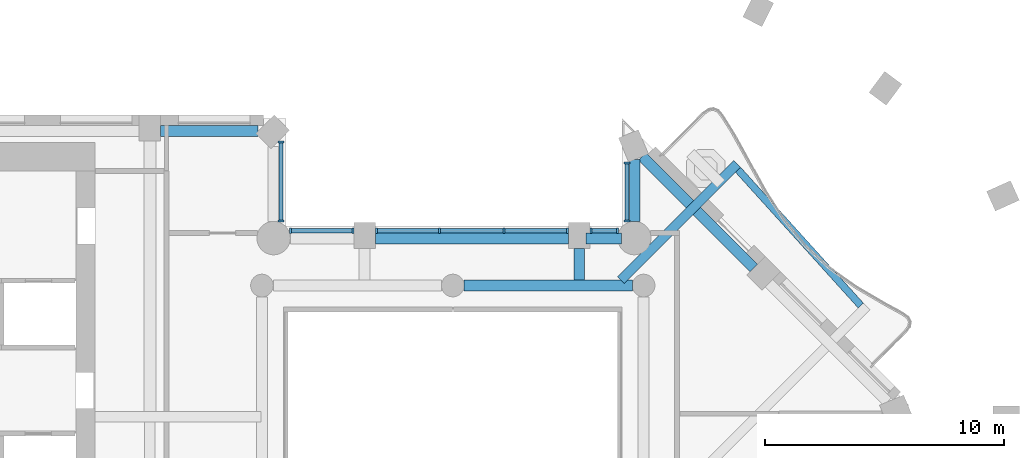
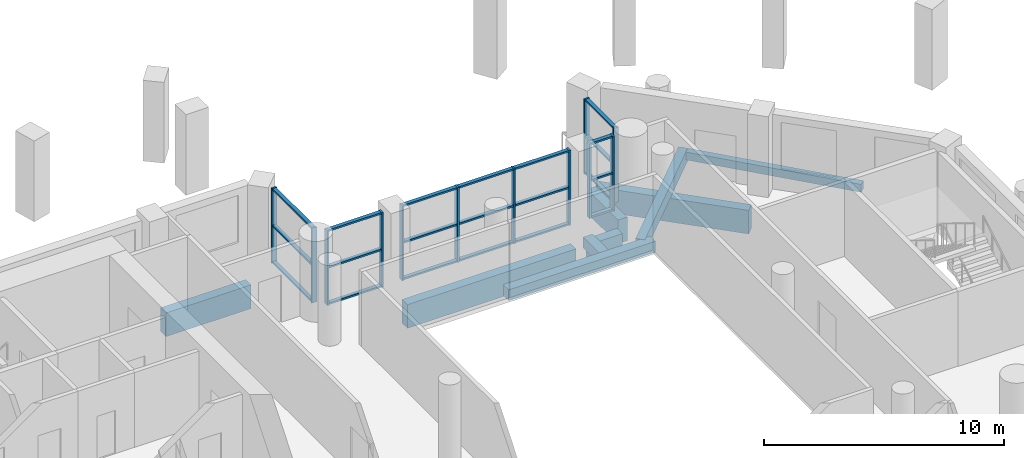
# One storey, part 2 of 14: 33 members, 9 beams, 5 elements without a shape of their own.
"""IFC4 building model written with IfcOpenShell, lengths in metres."""

from ifc_helpers import new_model, si_unit, direction, frame, origin, origin_2d, place, context, subcontext, project, spatial, rectangle, extrude, material, material_profile, profile_set, type_object, element, aggregate, save


model = new_model("IFC4")

# Units and contexts
model_context = context("Model", 3, precision=1e-05, world=origin(), true_north=direction((0.0, 1.0)))
body_context = subcontext(model_context, "Body", "Model", "MODEL_VIEW")
ifc_project = project(units=[si_unit("LENGTHUNIT", "METRE"), si_unit("AREAUNIT", "SQUARE_METRE"), si_unit("VOLUMEUNIT", "CUBIC_METRE"), si_unit("PLANEANGLEUNIT", "RADIAN"), si_unit("MASSUNIT", "GRAM", prefix="KILO")], contexts=[model_context])

# Site, building, storey
site_placement = place(None, origin())
site = spatial("IfcSite", under=ifc_project, at=site_placement, CompositionType="ELEMENT")
building_placement = place(site_placement, origin())
building = spatial("IfcBuilding", under=site, at=building_placement, Name="Cypress Arch Tower", CompositionType="ELEMENT")
storey_placement = place(building_placement, frame((0.0, 0.0, 226.10009765625)))
storey = spatial("IfcBuildingStorey", under=building, at=storey_placement, Name="L50", CompositionType="ELEMENT", Elevation=226.10009765625)

# Beams
ifc_material_1 = material(Name="Concrete C50/60", Category="concrete")
ifc_material_profile_1 = material_profile(ifc_material_1, rectangle(XDim=0.300048828125, YDim=0.39990234375, at=origin_2d()), Name="RC 300x400")
ifc_profile_set_1 = profile_set([ifc_material_profile_1], Name="Concrete C50/60")
beam_type_1 = type_object("IfcBeamType", Name="Balcony edge beam RC 300x400 Concrete C50/60", PredefinedType="BEAM", material=ifc_profile_set_1)
beam_1_placement = place(storey_placement, frame((18.1044921875, 9.1630859375, -0.5), z_axis=(-0.670728292087, 0.741703146949, 0.0), x_axis=(-0.741703146949, -0.670728292087, 0.0)))
element("IfcBeam", 1, at=beam_1_placement, inside=storey, type_object=beam_type_1, Name="Balcony edge beam L50 B05", PredefinedType="BEAM", context=body_context, shape_type="SweptSolid", body=[
    extrude(rectangle(XDim=0.300048828125, YDim=0.39990234375, at=origin_2d()), origin(), (0.0, 0.0, 1.0), 7.6708984375),
])
ifc_material_2 = material(Name="Concrete C50/60", Category="concrete")
ifc_material_profile_2 = material_profile(ifc_material_2, rectangle(XDim=0.39990234375, YDim=0.64990234375, at=origin_2d()), Name="RC 400x650")
ifc_profile_set_2 = profile_set([ifc_material_profile_2], Name="Concrete C50/60")
beam_type_2 = type_object("IfcBeamType", Name="Cantilever beam RC 400x650 Concrete C50/60", PredefinedType="BEAM", material=ifc_profile_set_2)
beam_2_placement = place(storey_placement, frame((8.04931640625, 10.22509765625, -0.625), z_axis=(0.707106781187, 0.707106781187, 0.0), x_axis=(-0.707106781187, 0.707106781187, 0.0)))
element("IfcBeam", 2, at=beam_2_placement, inside=storey, type_object=beam_type_2, Name="Cantilever beam L50 B05 2", PredefinedType="BEAM", context=body_context, shape_type="SweptSolid", body=[
    extrude(rectangle(XDim=0.39990234375, YDim=0.64990234375, at=origin_2d()), origin(), (0.0, 0.0, 1.0), 6.89404296875),
])
ifc_material_3 = material(Name="Concrete C50/60", Category="concrete")
ifc_material_profile_3 = material_profile(ifc_material_3, rectangle(XDim=0.449951171875, YDim=0.550048828125, at=origin_2d()), Name="RC 450x550")
ifc_profile_set_3 = profile_set([ifc_material_profile_3], Name="Concrete C50/60")
beam_type_3 = type_object("IfcBeamType", Name="Floor beam RC 450x550 Concrete C50/60", PredefinedType="BEAM", material=ifc_profile_set_3)
beam_3_placement = place(storey_placement, frame((1.47509765625, 10.0, -0.5751953125), z_axis=(1.0, 0.0, 0.0), x_axis=(0.0, 1.0, 0.0)))
element("IfcBeam", 3, at=beam_3_placement, inside=storey, type_object=beam_type_3, Name="Floor beam L50 RB008", PredefinedType="BEAM", context=body_context, shape_type="SweptSolid", body=[
    extrude(rectangle(XDim=0.449951171875, YDim=0.550048828125, at=origin_2d()), origin(), (0.0, 0.0, 1.0), 7.0498046875),
])
beam_4_placement = place(storey_placement, frame((6.300048828125, 10.22509765625, -0.5751953125), z_axis=(0.0, 1.0, 0.0), x_axis=(-1.0, 0.0, 0.0)))
element("IfcBeam", 4, at=beam_4_placement, inside=storey, type_object=beam_type_3, Name="Floor beam L50 FB017", PredefinedType="BEAM", context=body_context, shape_type="SweptSolid", body=[
    extrude(rectangle(XDim=0.449951171875, YDim=0.550048828125, at=origin_2d()), origin(), (0.0, 0.0, 1.0), 1.324951171875),
])

# Curtain wall, members
ifc_material_4 = material(Name="Anodised aluminium, bronze finish, clear laminated double glazing", Category="aluminium")
curtain_wall_type = type_object("IfcCurtainWallType", Name="Curtain wall CW7 slot glazing", PredefinedType="NOTDEFINED", material=ifc_material_4)
curtain_wall_1_placement = place(storey_placement, origin())
curtain_wall_1 = element("IfcCurtainWall", 5, at=curtain_wall_1_placement, inside=storey, type_object=curtain_wall_type, Name="Curtain wall L50 slot B06.0", PredefinedType="NOTDEFINED")
ifc_material_5 = material(Name="Anodised aluminium, bronze finish", Category="aluminium")
ifc_material_profile_4 = material_profile(ifc_material_5, rectangle(XDim=0.239990234375, YDim=0.0849609375, at=origin_2d()), Name="Mullion 85x240")
ifc_profile_set_4 = profile_set([ifc_material_profile_4], Name="Anodised aluminium, bronze finish")
member_type_1 = type_object("IfcMemberType", Name="Mullion CW7 85x240", PredefinedType="MULLION", material=ifc_profile_set_4)
member_1_placement = place(storey_placement, frame((8.300048828125, 15.12744140625, 0.0), z_axis=(0.0, 0.0, 1.0), x_axis=(1.0, 0.0, 0.0)))
member_1 = element("IfcMember", 6, at=member_1_placement, type_object=member_type_1, Name="CW7 mullion 1", PredefinedType="MULLION", context=body_context, shape_type="SweptSolid", body=[
    extrude(rectangle(XDim=0.239990234375, YDim=0.0849609375, at=origin_2d()), origin(), (0.0, 0.0, 1.0), 3.7998046875),
])
member_2_placement = place(storey_placement, frame((8.300048828125, 12.697021484375, 0.0), z_axis=(0.0, 0.0, 1.0), x_axis=(1.0, 0.0, 0.0)))
member_2 = element("IfcMember", 7, at=member_2_placement, type_object=member_type_1, Name="CW7 mullion 2", PredefinedType="MULLION", context=body_context, shape_type="SweptSolid", body=[
    extrude(rectangle(XDim=0.239990234375, YDim=0.0849609375, at=origin_2d()), origin(), (0.0, 0.0, 1.0), 3.7998046875),
])

curtain_wall_2_placement = place(storey_placement, origin())
curtain_wall_2 = element("IfcCurtainWall", 8, at=curtain_wall_2_placement, inside=storey, type_object=curtain_wall_type, Name="Curtain wall L50 slot B07.0", PredefinedType="NOTDEFINED")
member_3_placement = place(storey_placement, frame((7.903076171875, 12.300048828125, 0.0), z_axis=(0.0, 0.0, 1.0), x_axis=(0.0, -1.0, 0.0)))
member_3 = element("IfcMember", 9, at=member_3_placement, type_object=member_type_1, Name="CW7 mullion 1", PredefinedType="MULLION", context=body_context, shape_type="SweptSolid", body=[
    extrude(rectangle(XDim=0.239990234375, YDim=0.0849609375, at=origin_2d()), origin(), (0.0, 0.0, 1.0), 3.7998046875),
])
member_4_placement = place(storey_placement, frame((6.79248046875, 12.300048828125, 0.0), z_axis=(0.0, 0.0, 1.0), x_axis=(0.0, -1.0, 0.0)))
member_4 = element("IfcMember", 10, at=member_4_placement, type_object=member_type_1, Name="CW7 mullion 2", PredefinedType="MULLION", context=body_context, shape_type="SweptSolid", body=[
    extrude(rectangle(XDim=0.239990234375, YDim=0.0849609375, at=origin_2d()), origin(), (0.0, 0.0, 1.0), 3.7998046875),
])

curtain_wall_3_placement = place(storey_placement, origin())
curtain_wall_3 = element("IfcCurtainWall", 11, at=curtain_wall_3_placement, inside=storey, type_object=curtain_wall_type, Name="Curtain wall L50 slot B07.1", PredefinedType="NOTDEFINED")
member_5_placement = place(storey_placement, frame((5.8076171875, 12.300048828125, 0.0), z_axis=(0.0, 0.0, 1.0), x_axis=(0.0, -1.0, 0.0)))
member_5 = element("IfcMember", 12, at=member_5_placement, type_object=member_type_1, Name="CW7 mullion 1", PredefinedType="MULLION", context=body_context, shape_type="SweptSolid", body=[
    extrude(rectangle(XDim=0.239990234375, YDim=0.0849609375, at=origin_2d()), origin(), (0.0, 0.0, 1.0), 3.7998046875),
])
member_6_placement = place(storey_placement, frame((3.14990234375, 12.300048828125, 0.0), z_axis=(0.0, 0.0, 1.0), x_axis=(0.0, -1.0, 0.0)))
member_6 = element("IfcMember", 13, at=member_6_placement, type_object=member_type_1, Name="CW7 mullion 2", PredefinedType="MULLION", context=body_context, shape_type="SweptSolid", body=[
    extrude(rectangle(XDim=0.239990234375, YDim=0.0849609375, at=origin_2d()), origin(), (0.0, 0.0, 1.0), 3.7998046875),
])
member_7_placement = place(storey_placement, frame((0.449951171875, 12.300048828125, 0.0), z_axis=(0.0, 0.0, 1.0), x_axis=(0.0, -1.0, 0.0)))
member_7 = element("IfcMember", 14, at=member_7_placement, type_object=member_type_1, Name="CW7 mullion 3", PredefinedType="MULLION", context=body_context, shape_type="SweptSolid", body=[
    extrude(rectangle(XDim=0.239990234375, YDim=0.0849609375, at=origin_2d()), origin(), (0.0, 0.0, 1.0), 3.7998046875),
])
member_8_placement = place(storey_placement, frame((-2.20751953125, 12.300048828125, 0.0), z_axis=(0.0, 0.0, 1.0), x_axis=(0.0, -1.0, 0.0)))
member_8 = element("IfcMember", 15, at=member_8_placement, type_object=member_type_1, Name="CW7 mullion 4", PredefinedType="MULLION", context=body_context, shape_type="SweptSolid", body=[
    extrude(rectangle(XDim=0.239990234375, YDim=0.0849609375, at=origin_2d()), origin(), (0.0, 0.0, 1.0), 3.7998046875),
])

curtain_wall_4_placement = place(storey_placement, origin())
curtain_wall_4 = element("IfcCurtainWall", 16, at=curtain_wall_4_placement, inside=storey, type_object=curtain_wall_type, Name="Curtain wall L50 slot B07.2", PredefinedType="NOTDEFINED")
member_9_placement = place(storey_placement, frame((-3.1923828125, 12.300048828125, 0.0), z_axis=(0.0, 0.0, 1.0), x_axis=(0.0, -1.0, 0.0)))
member_9 = element("IfcMember", 17, at=member_9_placement, type_object=member_type_1, Name="CW7 mullion 1", PredefinedType="MULLION", context=body_context, shape_type="SweptSolid", body=[
    extrude(rectangle(XDim=0.239990234375, YDim=0.0849609375, at=origin_2d()), origin(), (0.0, 0.0, 1.0), 3.7998046875),
])
member_10_placement = place(storey_placement, frame((-5.802978515625, 12.300048828125, 0.0), z_axis=(0.0, 0.0, 1.0), x_axis=(0.0, -1.0, 0.0)))
member_10 = element("IfcMember", 18, at=member_10_placement, type_object=member_type_1, Name="CW7 mullion 2", PredefinedType="MULLION", context=body_context, shape_type="SweptSolid", body=[
    extrude(rectangle(XDim=0.239990234375, YDim=0.0849609375, at=origin_2d()), origin(), (0.0, 0.0, 1.0), 3.7998046875),
])

curtain_wall_5_placement = place(storey_placement, origin())
curtain_wall_5 = element("IfcCurtainWall", 19, at=curtain_wall_5_placement, inside=storey, type_object=curtain_wall_type, Name="Curtain wall L50 slot B08.0", PredefinedType="NOTDEFINED")
member_11_placement = place(storey_placement, frame((-6.199951171875, 12.697021484375, 0.0), z_axis=(0.0, 0.0, 1.0), x_axis=(-1.0, 0.0, 0.0)))
member_11 = element("IfcMember", 20, at=member_11_placement, type_object=member_type_1, Name="CW7 mullion 1", PredefinedType="MULLION", context=body_context, shape_type="SweptSolid", body=[
    extrude(rectangle(XDim=0.239990234375, YDim=0.0849609375, at=origin_2d()), origin(), (0.0, 0.0, 1.0), 3.7998046875),
])
member_12_placement = place(storey_placement, frame((-6.199951171875, 16.02099609375, 0.0), z_axis=(0.0, 0.0, 1.0), x_axis=(-1.0, 0.0, 0.0)))
member_12 = element("IfcMember", 21, at=member_12_placement, type_object=member_type_1, Name="CW7 mullion 2", PredefinedType="MULLION", context=body_context, shape_type="SweptSolid", body=[
    extrude(rectangle(XDim=0.239990234375, YDim=0.0849609375, at=origin_2d()), origin(), (0.0, 0.0, 1.0), 3.7998046875),
])

# Beams
ifc_material_6 = material(Name="Concrete C50/60", Category="concrete")
ifc_material_profile_5 = material_profile(ifc_material_6, rectangle(XDim=0.449951171875, YDim=1.199951171875, at=origin_2d()), Name="RC 450x1200")
ifc_profile_set_5 = profile_set([ifc_material_profile_5], Name="Concrete C50/60")
beam_type_4 = type_object("IfcBeamType", Name="Spandrel beam RC 450x1200 Concrete C50/60", PredefinedType="SPANDREL", material=ifc_profile_set_5)
beam_5_placement = place(storey_placement, frame((13.622802734375, 10.73486328125, -1.550048828125), z_axis=(-0.707106781187, 0.707106781187, 0.0), x_axis=(-0.707106781187, -0.707106781187, 0.0)))
element("IfcBeam", 22, at=beam_5_placement, inside=storey, type_object=beam_type_4, Name="Spandrel beam L50 BB05-1", PredefinedType="SPANDREL", context=body_context, shape_type="SweptSolid", body=[
    extrude(rectangle(XDim=0.449951171875, YDim=1.199951171875, at=origin_2d()), origin(), (0.0, 0.0, 1.0), 6.610595703125),
])
beam_6_placement = place(storey_placement, frame((8.625, 15.275146484375, -1.550048828125), z_axis=(0.0, -1.0, 0.0), x_axis=(1.0, 0.0, 0.0)))
element("IfcBeam", 23, at=beam_6_placement, inside=storey, type_object=beam_type_4, Name="Spandrel beam L50 BB06-0", PredefinedType="SPANDREL", context=body_context, shape_type="SweptSolid", body=[
    extrude(rectangle(XDim=0.449951171875, YDim=1.199951171875, at=origin_2d()), origin(), (0.0, 0.0, 1.0), 2.587646484375),
])
beam_7_placement = place(storey_placement, frame((8.081298828125, 11.97509765625, -1.550048828125), z_axis=(-1.0, 0.0, 0.0), x_axis=(0.0, -1.0, 0.0)))
element("IfcBeam", 24, at=beam_7_placement, inside=storey, type_object=beam_type_4, Name="Spandrel beam L50 BB07-0", PredefinedType="SPANDREL", context=body_context, shape_type="SweptSolid", body=[
    extrude(rectangle(XDim=0.449951171875, YDim=1.199951171875, at=origin_2d()), origin(), (0.0, 0.0, 1.0), 1.5),
])
beam_8_placement = place(storey_placement, frame((5.85009765625, 11.97509765625, -1.550048828125), z_axis=(-1.0, 0.0, 0.0), x_axis=(0.0, -1.0, 0.0)))
element("IfcBeam", 25, at=beam_8_placement, inside=storey, type_object=beam_type_4, Name="Spandrel beam L50 BB07-1", PredefinedType="SPANDREL", context=body_context, shape_type="SweptSolid", body=[
    extrude(rectangle(XDim=0.449951171875, YDim=1.199951171875, at=origin_2d()), origin(), (0.0, 0.0, 1.0), 8.10009765625),
])
beam_9_placement = place(storey_placement, frame((-7.161376953125, 16.47509765625, -1.550048828125), z_axis=(-1.0, 0.0, 0.0), x_axis=(0.0, -1.0, 0.0)))
element("IfcBeam", 26, at=beam_9_placement, inside=storey, type_object=beam_type_4, Name="Spandrel beam L50 BB09-0", PredefinedType="SPANDREL", context=body_context, shape_type="SweptSolid", body=[
    extrude(rectangle(XDim=0.449951171875, YDim=1.199951171875, at=origin_2d()), origin(), (0.0, 0.0, 1.0), 4.088623046875),
])

# Member
ifc_material_7 = material(Name="Anodised aluminium, bronze finish", Category="aluminium")
ifc_material_profile_6 = material_profile(ifc_material_7, rectangle(XDim=0.179931640625, YDim=0.0849609375, at=origin_2d()), Name="Transom 85x180")
ifc_profile_set_6 = profile_set([ifc_material_profile_6], Name="Anodised aluminium, bronze finish")
member_type_2 = type_object("IfcMemberType", Name="Transom CW7 85x180", PredefinedType="USERDEFINED", material=ifc_profile_set_6)
member_13_placement = place(storey_placement, frame((8.300048828125, 15.0849609375, 0.04248046875), z_axis=(0.0, -1.0, 0.0), x_axis=(1.0, 0.0, 0.0)))
member_13 = element("IfcMember", 27, at=member_13_placement, type_object=member_type_2, Name="CW7 transom 1.1", ObjectType="TRANSOM", PredefinedType="USERDEFINED", context=body_context, shape_type="SweptSolid", body=[
    extrude(rectangle(XDim=0.179931640625, YDim=0.0849609375, at=origin_2d()), origin(), (0.0, 0.0, 1.0), 2.345458984375),
])

member_14_placement = place(storey_placement, frame((8.300048828125, 15.0849609375, 1.89990234375), z_axis=(0.0, -1.0, 0.0), x_axis=(1.0, 0.0, 0.0)))
member_14 = element("IfcMember", 28, at=member_14_placement, type_object=member_type_2, Name="CW7 transom 1.2", ObjectType="TRANSOM", PredefinedType="USERDEFINED", context=body_context, shape_type="SweptSolid", body=[
    extrude(rectangle(XDim=0.179931640625, YDim=0.0849609375, at=origin_2d()), origin(), (0.0, 0.0, 1.0), 2.345458984375),
])

member_15_placement = place(storey_placement, frame((8.300048828125, 15.0849609375, 3.75732421875), z_axis=(0.0, -1.0, 0.0), x_axis=(1.0, 0.0, 0.0)))
member_15 = element("IfcMember", 29, at=member_15_placement, type_object=member_type_2, Name="CW7 transom 1.3", ObjectType="TRANSOM", PredefinedType="USERDEFINED", context=body_context, shape_type="SweptSolid", body=[
    extrude(rectangle(XDim=0.179931640625, YDim=0.0849609375, at=origin_2d()), origin(), (0.0, 0.0, 1.0), 2.345458984375),
])

aggregate(curtain_wall_1, [member_1, member_2, member_13, member_14, member_15])

member_16_placement = place(storey_placement, frame((7.8603515625, 12.300048828125, 0.04248046875), z_axis=(-1.0, 0.0, 0.0), x_axis=(0.0, -1.0, 0.0)))
member_16 = element("IfcMember", 30, at=member_16_placement, type_object=member_type_2, Name="CW7 transom 1.1", ObjectType="TRANSOM", PredefinedType="USERDEFINED", context=body_context, shape_type="SweptSolid", body=[
    extrude(rectangle(XDim=0.179931640625, YDim=0.0849609375, at=origin_2d()), origin(), (0.0, 0.0, 1.0), 1.025390625),
])

member_17_placement = place(storey_placement, frame((7.8603515625, 12.300048828125, 1.89990234375), z_axis=(-1.0, 0.0, 0.0), x_axis=(0.0, -1.0, 0.0)))
member_17 = element("IfcMember", 31, at=member_17_placement, type_object=member_type_2, Name="CW7 transom 1.2", ObjectType="TRANSOM", PredefinedType="USERDEFINED", context=body_context, shape_type="SweptSolid", body=[
    extrude(rectangle(XDim=0.179931640625, YDim=0.0849609375, at=origin_2d()), origin(), (0.0, 0.0, 1.0), 1.025390625),
])

member_18_placement = place(storey_placement, frame((7.8603515625, 12.300048828125, 3.75732421875), z_axis=(-1.0, 0.0, 0.0), x_axis=(0.0, -1.0, 0.0)))
member_18 = element("IfcMember", 32, at=member_18_placement, type_object=member_type_2, Name="CW7 transom 1.3", ObjectType="TRANSOM", PredefinedType="USERDEFINED", context=body_context, shape_type="SweptSolid", body=[
    extrude(rectangle(XDim=0.179931640625, YDim=0.0849609375, at=origin_2d()), origin(), (0.0, 0.0, 1.0), 1.025390625),
])

aggregate(curtain_wall_2, [member_3, member_4, member_16, member_17, member_18])

member_19_placement = place(storey_placement, frame((5.764892578125, 12.300048828125, 0.04248046875), z_axis=(-1.0, 0.0, 0.0), x_axis=(0.0, -1.0, 0.0)))
member_19 = element("IfcMember", 33, at=member_19_placement, type_object=member_type_2, Name="CW7 transom 1.1", ObjectType="TRANSOM", PredefinedType="USERDEFINED", context=body_context, shape_type="SweptSolid", body=[
    extrude(rectangle(XDim=0.179931640625, YDim=0.0849609375, at=origin_2d()), origin(), (0.0, 0.0, 1.0), 2.572509765625),
])

member_20_placement = place(storey_placement, frame((5.764892578125, 12.300048828125, 1.89990234375), z_axis=(-1.0, 0.0, 0.0), x_axis=(0.0, -1.0, 0.0)))
member_20 = element("IfcMember", 34, at=member_20_placement, type_object=member_type_2, Name="CW7 transom 1.2", ObjectType="TRANSOM", PredefinedType="USERDEFINED", context=body_context, shape_type="SweptSolid", body=[
    extrude(rectangle(XDim=0.179931640625, YDim=0.0849609375, at=origin_2d()), origin(), (0.0, 0.0, 1.0), 2.572509765625),
])

member_21_placement = place(storey_placement, frame((5.764892578125, 12.300048828125, 3.75732421875), z_axis=(-1.0, 0.0, 0.0), x_axis=(0.0, -1.0, 0.0)))
member_21 = element("IfcMember", 35, at=member_21_placement, type_object=member_type_2, Name="CW7 transom 1.3", ObjectType="TRANSOM", PredefinedType="USERDEFINED", context=body_context, shape_type="SweptSolid", body=[
    extrude(rectangle(XDim=0.179931640625, YDim=0.0849609375, at=origin_2d()), origin(), (0.0, 0.0, 1.0), 2.572509765625),
])

member_22_placement = place(storey_placement, frame((3.107421875, 12.300048828125, 0.04248046875), z_axis=(-1.0, 0.0, 0.0), x_axis=(0.0, -1.0, 0.0)))
member_22 = element("IfcMember", 36, at=member_22_placement, type_object=member_type_2, Name="CW7 transom 2.1", ObjectType="TRANSOM", PredefinedType="USERDEFINED", context=body_context, shape_type="SweptSolid", body=[
    extrude(rectangle(XDim=0.179931640625, YDim=0.0849609375, at=origin_2d()), origin(), (0.0, 0.0, 1.0), 2.614990234375),
])

member_23_placement = place(storey_placement, frame((3.107421875, 12.300048828125, 1.89990234375), z_axis=(-1.0, 0.0, 0.0), x_axis=(0.0, -1.0, 0.0)))
member_23 = element("IfcMember", 37, at=member_23_placement, type_object=member_type_2, Name="CW7 transom 2.2", ObjectType="TRANSOM", PredefinedType="USERDEFINED", context=body_context, shape_type="SweptSolid", body=[
    extrude(rectangle(XDim=0.179931640625, YDim=0.0849609375, at=origin_2d()), origin(), (0.0, 0.0, 1.0), 2.614990234375),
])

member_24_placement = place(storey_placement, frame((3.107421875, 12.300048828125, 3.75732421875), z_axis=(-1.0, 0.0, 0.0), x_axis=(0.0, -1.0, 0.0)))
member_24 = element("IfcMember", 38, at=member_24_placement, type_object=member_type_2, Name="CW7 transom 2.3", ObjectType="TRANSOM", PredefinedType="USERDEFINED", context=body_context, shape_type="SweptSolid", body=[
    extrude(rectangle(XDim=0.179931640625, YDim=0.0849609375, at=origin_2d()), origin(), (0.0, 0.0, 1.0), 2.614990234375),
])

member_25_placement = place(storey_placement, frame((0.407470703125, 12.300048828125, 0.04248046875), z_axis=(-1.0, 0.0, 0.0), x_axis=(0.0, -1.0, 0.0)))
member_25 = element("IfcMember", 39, at=member_25_placement, type_object=member_type_2, Name="CW7 transom 3.1", ObjectType="TRANSOM", PredefinedType="USERDEFINED", context=body_context, shape_type="SweptSolid", body=[
    extrude(rectangle(XDim=0.179931640625, YDim=0.0849609375, at=origin_2d()), origin(), (0.0, 0.0, 1.0), 2.572509765625),
])

member_26_placement = place(storey_placement, frame((0.407470703125, 12.300048828125, 1.89990234375), z_axis=(-1.0, 0.0, 0.0), x_axis=(0.0, -1.0, 0.0)))
member_26 = element("IfcMember", 40, at=member_26_placement, type_object=member_type_2, Name="CW7 transom 3.2", ObjectType="TRANSOM", PredefinedType="USERDEFINED", context=body_context, shape_type="SweptSolid", body=[
    extrude(rectangle(XDim=0.179931640625, YDim=0.0849609375, at=origin_2d()), origin(), (0.0, 0.0, 1.0), 2.572509765625),
])

member_27_placement = place(storey_placement, frame((0.407470703125, 12.300048828125, 3.75732421875), z_axis=(-1.0, 0.0, 0.0), x_axis=(0.0, -1.0, 0.0)))
member_27 = element("IfcMember", 41, at=member_27_placement, type_object=member_type_2, Name="CW7 transom 3.3", ObjectType="TRANSOM", PredefinedType="USERDEFINED", context=body_context, shape_type="SweptSolid", body=[
    extrude(rectangle(XDim=0.179931640625, YDim=0.0849609375, at=origin_2d()), origin(), (0.0, 0.0, 1.0), 2.572509765625),
])

aggregate(curtain_wall_3, [member_5, member_6, member_7, member_8, member_19, member_20, member_21, member_22, member_23, member_24, member_25, member_26, member_27])

member_28_placement = place(storey_placement, frame((-3.235107421875, 12.300048828125, 0.04248046875), z_axis=(-1.0, 0.0, 0.0), x_axis=(0.0, -1.0, 0.0)))
member_28 = element("IfcMember", 42, at=member_28_placement, type_object=member_type_2, Name="CW7 transom 1.1", ObjectType="TRANSOM", PredefinedType="USERDEFINED", context=body_context, shape_type="SweptSolid", body=[
    extrude(rectangle(XDim=0.179931640625, YDim=0.0849609375, at=origin_2d()), origin(), (0.0, 0.0, 1.0), 2.525390625),
])

member_29_placement = place(storey_placement, frame((-3.235107421875, 12.300048828125, 1.89990234375), z_axis=(-1.0, 0.0, 0.0), x_axis=(0.0, -1.0, 0.0)))
member_29 = element("IfcMember", 43, at=member_29_placement, type_object=member_type_2, Name="CW7 transom 1.2", ObjectType="TRANSOM", PredefinedType="USERDEFINED", context=body_context, shape_type="SweptSolid", body=[
    extrude(rectangle(XDim=0.179931640625, YDim=0.0849609375, at=origin_2d()), origin(), (0.0, 0.0, 1.0), 2.525390625),
])

member_30_placement = place(storey_placement, frame((-3.235107421875, 12.300048828125, 3.75732421875), z_axis=(-1.0, 0.0, 0.0), x_axis=(0.0, -1.0, 0.0)))
member_30 = element("IfcMember", 44, at=member_30_placement, type_object=member_type_2, Name="CW7 transom 1.3", ObjectType="TRANSOM", PredefinedType="USERDEFINED", context=body_context, shape_type="SweptSolid", body=[
    extrude(rectangle(XDim=0.179931640625, YDim=0.0849609375, at=origin_2d()), origin(), (0.0, 0.0, 1.0), 2.525390625),
])

aggregate(curtain_wall_4, [member_9, member_10, member_28, member_29, member_30])

member_31_placement = place(storey_placement, frame((-6.199951171875, 12.739501953125, 0.04248046875), z_axis=(0.0, 1.0, 0.0), x_axis=(-1.0, 0.0, 0.0)))
member_31 = element("IfcMember", 45, at=member_31_placement, type_object=member_type_2, Name="CW7 transom 1.1", ObjectType="TRANSOM", PredefinedType="USERDEFINED", context=body_context, shape_type="SweptSolid", body=[
    extrude(rectangle(XDim=0.179931640625, YDim=0.0849609375, at=origin_2d()), origin(), (0.0, 0.0, 1.0), 3.239013671875),
])

member_32_placement = place(storey_placement, frame((-6.199951171875, 12.739501953125, 1.89990234375), z_axis=(0.0, 1.0, 0.0), x_axis=(-1.0, 0.0, 0.0)))
member_32 = element("IfcMember", 46, at=member_32_placement, type_object=member_type_2, Name="CW7 transom 1.2", ObjectType="TRANSOM", PredefinedType="USERDEFINED", context=body_context, shape_type="SweptSolid", body=[
    extrude(rectangle(XDim=0.179931640625, YDim=0.0849609375, at=origin_2d()), origin(), (0.0, 0.0, 1.0), 3.239013671875),
])

member_33_placement = place(storey_placement, frame((-6.199951171875, 12.739501953125, 3.75732421875), z_axis=(0.0, 1.0, 0.0), x_axis=(-1.0, 0.0, 0.0)))
member_33 = element("IfcMember", 47, at=member_33_placement, type_object=member_type_2, Name="CW7 transom 1.3", ObjectType="TRANSOM", PredefinedType="USERDEFINED", context=body_context, shape_type="SweptSolid", body=[
    extrude(rectangle(XDim=0.179931640625, YDim=0.0849609375, at=origin_2d()), origin(), (0.0, 0.0, 1.0), 3.239013671875),
])

aggregate(curtain_wall_5, [member_11, member_12, member_31, member_32, member_33])

save(model, "model.ifc")
